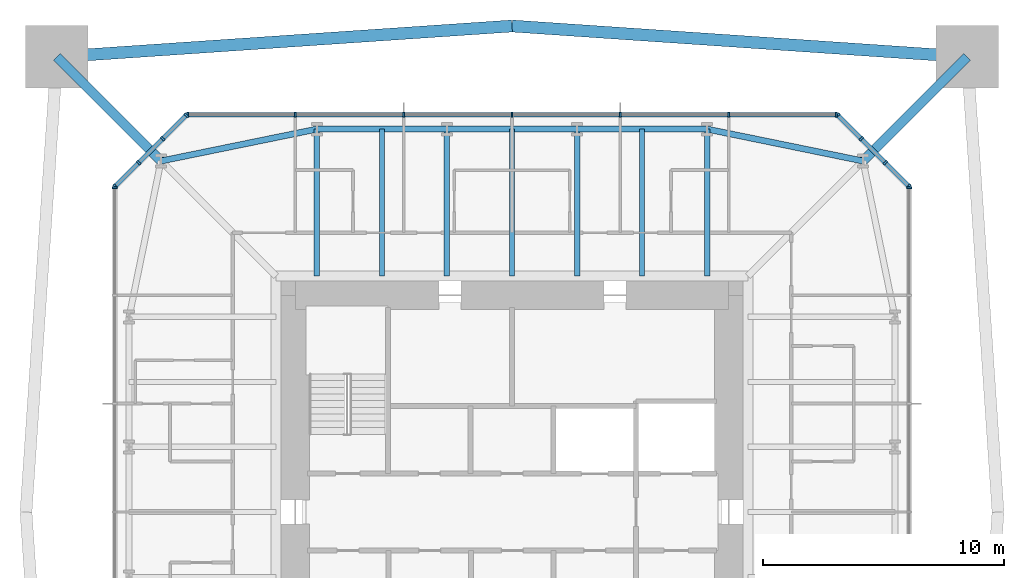
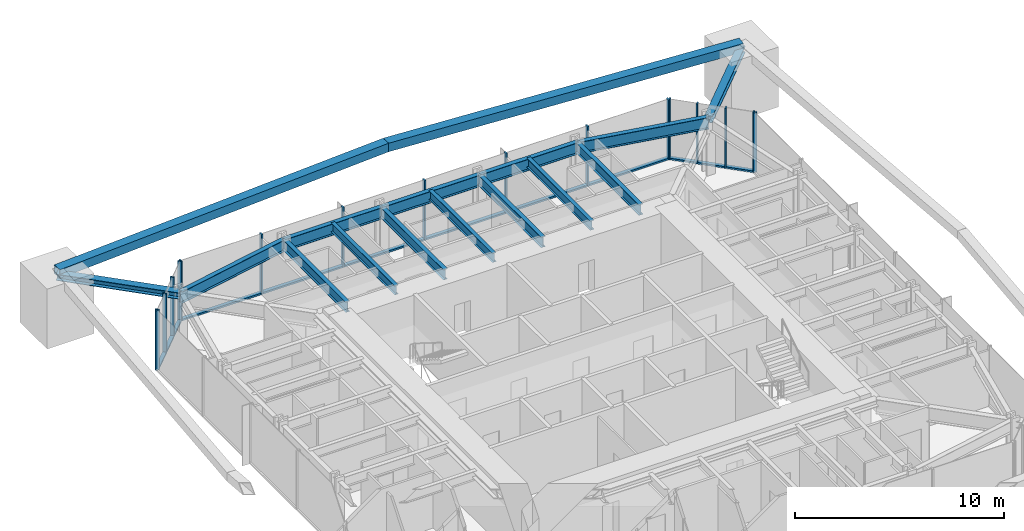
# One storey, part 5 of 11: 33 members, 12 beams, 5 elements without a shape of their own.
"""IFC4 building model written with IfcOpenShell, lengths in metres."""

from ifc_helpers import new_model, si_unit, direction, frame, origin, origin_2d, place, context, subcontext, project, spatial, rectangle, hollow_rectangle, i_section, extrude, material, material_profile, profile_set, type_object, element, aggregate, save


model = new_model("IFC4")

# Units and contexts
model_context = context("Model", 3, precision=1e-05, world=origin(), true_north=direction((0.0, 1.0)))
body_context = subcontext(model_context, "Body", "Model", "MODEL_VIEW")
ifc_project = project(units=[si_unit("LENGTHUNIT", "METRE"), si_unit("AREAUNIT", "SQUARE_METRE"), si_unit("VOLUMEUNIT", "CUBIC_METRE"), si_unit("PLANEANGLEUNIT", "RADIAN"), si_unit("MASSUNIT", "GRAM", prefix="KILO")], contexts=[model_context])

# Site, building, storey
site_placement = place(None, origin())
site = spatial("IfcSite", under=ifc_project, at=site_placement, CompositionType="ELEMENT")
building_placement = place(site_placement, origin())
building = spatial("IfcBuilding", under=site, at=building_placement, Name="Iwan Alto Co-Living Towers", CompositionType="ELEMENT")
storey_placement = place(building_placement, frame((0.0, 0.0, 222.0)))
storey = spatial("IfcBuildingStorey", under=building, at=storey_placement, Name="L60", CompositionType="ELEMENT", Elevation=222.0)

# Curtain wall, member
ifc_material_1 = material(Name="Bronze aluminium unitised frame", Category="aluminium")
curtain_wall_type_1 = type_object("IfcCurtainWallType", Name="CURTAIN WALL CW-A", PredefinedType="NOTDEFINED", material=ifc_material_1)
curtain_wall_1_placement = place(storey_placement, origin())
curtain_wall_1 = element("IfcCurtainWall", 1, at=curtain_wall_1_placement, inside=storey, type_object=curtain_wall_type_1, Name="T1 curtain wall E L60", PredefinedType="NOTDEFINED")
ifc_material_2 = material(Name="Aluminium 6063-T6 bronze anodised", Category="aluminium")
ifc_material_profile_1 = material_profile(ifc_material_2, rectangle(XDim=0.199951171875, YDim=0.080078125, at=origin_2d()), Name="AL 80X200")
ifc_profile_set_1 = profile_set([ifc_material_profile_1], Name="Aluminium 6063-T6 bronze anodised")
member_type_1 = type_object("IfcMemberType", Name="CW-A MULLION 80X200", PredefinedType="MULLION", material=ifc_profile_set_1)
member_1_placement = place(storey_placement, frame((16.5, 13.4599609375, 0.0), z_axis=(0.0, 0.0, 1.0), x_axis=(-1.0, 0.0, 0.0)))
member_1 = element("IfcMember", 2, at=member_1_placement, type_object=member_type_1, Name="CW-A mullion 7", PredefinedType="MULLION", context=body_context, shape_type="SweptSolid", body=[
    extrude(rectangle(XDim=0.199951171875, YDim=0.080078125, at=origin_2d()), origin(), (0.0, 0.0, 1.0), 3.5),
])
aggregate(curtain_wall_1, [member_1])

# Curtain wall, members
curtain_wall_2_placement = place(storey_placement, origin())
curtain_wall_2 = element("IfcCurtainWall", 3, at=curtain_wall_2_placement, inside=storey, type_object=curtain_wall_type_1, Name="T1 curtain wall N L60", PredefinedType="NOTDEFINED")
member_2_placement = place(storey_placement, frame((13.4599609375, 16.5, 0.0), z_axis=(0.0, 0.0, 1.0), x_axis=(0.0, -1.0, 0.0)))
member_2 = element("IfcMember", 4, at=member_2_placement, type_object=member_type_1, Name="CW-A mullion 1", PredefinedType="MULLION", context=body_context, shape_type="SweptSolid", body=[
    extrude(rectangle(XDim=0.199951171875, YDim=0.080078125, at=origin_2d()), origin(), (0.0, 0.0, 1.0), 3.5),
])
member_3_placement = place(storey_placement, frame((9.0, 16.5, 0.0), z_axis=(0.0, 0.0, 1.0), x_axis=(0.0, -1.0, 0.0)))
member_3 = element("IfcMember", 5, at=member_3_placement, type_object=member_type_1, Name="CW-A mullion 2", PredefinedType="MULLION", context=body_context, shape_type="SweptSolid", body=[
    extrude(rectangle(XDim=0.199951171875, YDim=0.080078125, at=origin_2d()), origin(), (0.0, 0.0, 1.0), 3.5),
])
member_4_placement = place(storey_placement, frame((4.5, 16.5, 0.0), z_axis=(0.0, 0.0, 1.0), x_axis=(0.0, -1.0, 0.0)))
member_4 = element("IfcMember", 6, at=member_4_placement, type_object=member_type_1, Name="CW-A mullion 3", PredefinedType="MULLION", context=body_context, shape_type="SweptSolid", body=[
    extrude(rectangle(XDim=0.199951171875, YDim=0.080078125, at=origin_2d()), origin(), (0.0, 0.0, 1.0), 3.5),
])
member_5_placement = place(storey_placement, frame((0.0, 16.5, 0.0), z_axis=(0.0, 0.0, 1.0), x_axis=(0.0, -1.0, 0.0)))
member_5 = element("IfcMember", 7, at=member_5_placement, type_object=member_type_1, Name="CW-A mullion 4", PredefinedType="MULLION", context=body_context, shape_type="SweptSolid", body=[
    extrude(rectangle(XDim=0.199951171875, YDim=0.080078125, at=origin_2d()), origin(), (0.0, 0.0, 1.0), 3.5),
])
member_6_placement = place(storey_placement, frame((-4.5, 16.5, 0.0), z_axis=(0.0, 0.0, 1.0), x_axis=(0.0, -1.0, 0.0)))
member_6 = element("IfcMember", 8, at=member_6_placement, type_object=member_type_1, Name="CW-A mullion 5", PredefinedType="MULLION", context=body_context, shape_type="SweptSolid", body=[
    extrude(rectangle(XDim=0.199951171875, YDim=0.080078125, at=origin_2d()), origin(), (0.0, 0.0, 1.0), 3.5),
])
member_7_placement = place(storey_placement, frame((-9.0, 16.5, 0.0), z_axis=(0.0, 0.0, 1.0), x_axis=(0.0, -1.0, 0.0)))
member_7 = element("IfcMember", 9, at=member_7_placement, type_object=member_type_1, Name="CW-A mullion 6", PredefinedType="MULLION", context=body_context, shape_type="SweptSolid", body=[
    extrude(rectangle(XDim=0.199951171875, YDim=0.080078125, at=origin_2d()), origin(), (0.0, 0.0, 1.0), 3.5),
])
member_8_placement = place(storey_placement, frame((-13.4599609375, 16.5, 0.0), z_axis=(0.0, 0.0, 1.0), x_axis=(0.0, -1.0, 0.0)))
member_8 = element("IfcMember", 10, at=member_8_placement, type_object=member_type_1, Name="CW-A mullion 7", PredefinedType="MULLION", context=body_context, shape_type="SweptSolid", body=[
    extrude(rectangle(XDim=0.199951171875, YDim=0.080078125, at=origin_2d()), origin(), (0.0, 0.0, 1.0), 3.5),
])

# Curtain wall, member
curtain_wall_3_placement = place(storey_placement, origin())
curtain_wall_3 = element("IfcCurtainWall", 11, at=curtain_wall_3_placement, inside=storey, type_object=curtain_wall_type_1, Name="T1 curtain wall W L60", PredefinedType="NOTDEFINED")
member_9_placement = place(storey_placement, frame((-16.5, 13.4599609375, 0.0), z_axis=(0.0, 0.0, 1.0), x_axis=(1.0, 0.0, 0.0)))
member_9 = element("IfcMember", 12, at=member_9_placement, type_object=member_type_1, Name="CW-A mullion 1", PredefinedType="MULLION", context=body_context, shape_type="SweptSolid", body=[
    extrude(rectangle(XDim=0.199951171875, YDim=0.080078125, at=origin_2d()), origin(), (0.0, 0.0, 1.0), 3.5),
])
aggregate(curtain_wall_3, [member_9])

# Member
ifc_material_3 = material(Name="Aluminium 6063-T6 bronze anodised", Category="aluminium")
ifc_material_profile_2 = material_profile(ifc_material_3, rectangle(XDim=0.199951171875, YDim=0.10009765625, at=origin_2d()), Name="AL 200X100")
ifc_profile_set_2 = profile_set([ifc_material_profile_2], Name="Aluminium 6063-T6 bronze anodised")
member_type_2 = type_object("IfcMemberType", Name="CW-A TRANSOM 200X100", PredefinedType="USERDEFINED", material=ifc_profile_set_2)
member_10_placement = place(storey_placement, frame((13.419921875, 16.5, 0.050048828125), z_axis=(-1.0, 0.0, 0.0), x_axis=(0.0, -1.0, 0.0)))
member_10 = element("IfcMember", 13, at=member_10_placement, type_object=member_type_2, Name="CW-A transom 1.1", ObjectType="TRANSOM", PredefinedType="USERDEFINED", context=body_context, shape_type="SweptSolid", body=[
    extrude(rectangle(XDim=0.199951171875, YDim=0.10009765625, at=origin_2d()), origin(), (0.0, 0.0, 1.0), 4.3798828125),
])

member_11_placement = place(storey_placement, frame((8.9599609375, 16.5, 0.050048828125), z_axis=(-1.0, 0.0, 0.0), x_axis=(0.0, -1.0, 0.0)))
member_11 = element("IfcMember", 14, at=member_11_placement, type_object=member_type_2, Name="CW-A transom 2.1", ObjectType="TRANSOM", PredefinedType="USERDEFINED", context=body_context, shape_type="SweptSolid", body=[
    extrude(rectangle(XDim=0.199951171875, YDim=0.10009765625, at=origin_2d()), origin(), (0.0, 0.0, 1.0), 4.419921875),
])

member_12_placement = place(storey_placement, frame((4.4599609375, 16.5, 0.050048828125), z_axis=(-1.0, 0.0, 0.0), x_axis=(0.0, -1.0, 0.0)))
member_12 = element("IfcMember", 15, at=member_12_placement, type_object=member_type_2, Name="CW-A transom 3.1", ObjectType="TRANSOM", PredefinedType="USERDEFINED", context=body_context, shape_type="SweptSolid", body=[
    extrude(rectangle(XDim=0.199951171875, YDim=0.10009765625, at=origin_2d()), origin(), (0.0, 0.0, 1.0), 4.419921875),
])

member_13_placement = place(storey_placement, frame((-0.0400390625, 16.5, 0.050048828125), z_axis=(-1.0, 0.0, 0.0), x_axis=(0.0, -1.0, 0.0)))
member_13 = element("IfcMember", 16, at=member_13_placement, type_object=member_type_2, Name="CW-A transom 4.1", ObjectType="TRANSOM", PredefinedType="USERDEFINED", context=body_context, shape_type="SweptSolid", body=[
    extrude(rectangle(XDim=0.199951171875, YDim=0.10009765625, at=origin_2d()), origin(), (0.0, 0.0, 1.0), 4.419921875),
])

member_14_placement = place(storey_placement, frame((-4.5400390625, 16.5, 0.050048828125), z_axis=(-1.0, 0.0, 0.0), x_axis=(0.0, -1.0, 0.0)))
member_14 = element("IfcMember", 17, at=member_14_placement, type_object=member_type_2, Name="CW-A transom 5.1", ObjectType="TRANSOM", PredefinedType="USERDEFINED", context=body_context, shape_type="SweptSolid", body=[
    extrude(rectangle(XDim=0.199951171875, YDim=0.10009765625, at=origin_2d()), origin(), (0.0, 0.0, 1.0), 4.419921875),
])

member_15_placement = place(storey_placement, frame((-9.0400390625, 16.5, 0.050048828125), z_axis=(-1.0, 0.0, 0.0), x_axis=(0.0, -1.0, 0.0)))
member_15 = element("IfcMember", 18, at=member_15_placement, type_object=member_type_2, Name="CW-A transom 6.1", ObjectType="TRANSOM", PredefinedType="USERDEFINED", context=body_context, shape_type="SweptSolid", body=[
    extrude(rectangle(XDim=0.199951171875, YDim=0.10009765625, at=origin_2d()), origin(), (0.0, 0.0, 1.0), 4.3798828125),
])

aggregate(curtain_wall_2, [member_2, member_3, member_4, member_5, member_6, member_7, member_8, member_10, member_11, member_12, member_13, member_14, member_15])

# Curtain wall, members
ifc_material_4 = material(Name="Bronze aluminium unitised frame", Category="aluminium")
curtain_wall_type_2 = type_object("IfcCurtainWallType", Name="CURTAIN WALL CW-B", PredefinedType="NOTDEFINED", material=ifc_material_4)
curtain_wall_4_placement = place(storey_placement, origin())
curtain_wall_4 = element("IfcCurtainWall", 19, at=curtain_wall_4_placement, inside=storey, type_object=curtain_wall_type_2, Name="T1 chamfer curtain wall NE L60", PredefinedType="NOTDEFINED")
ifc_material_5 = material(Name="Aluminium 6063-T6 bronze anodised", Category="aluminium")
ifc_material_profile_3 = material_profile(ifc_material_5, rectangle(XDim=0.199951171875, YDim=0.080078125, at=origin_2d()), Name="AL 80X200")
ifc_profile_set_3 = profile_set([ifc_material_profile_3], Name="Aluminium 6063-T6 bronze anodised")
member_type_3 = type_object("IfcMemberType", Name="CW-B MULLION 80X200", PredefinedType="MULLION", material=ifc_profile_set_3)
member_16_placement = place(storey_placement, frame((16.4716796875, 13.5283203125, 0.0), z_axis=(0.0, 0.0, 1.0), x_axis=(-0.707106781187, -0.707106781187, 0.0)))
member_16 = element("IfcMember", 20, at=member_16_placement, type_object=member_type_3, Name="CW-B mullion 1", PredefinedType="MULLION", context=body_context, shape_type="SweptSolid", body=[
    extrude(rectangle(XDim=0.199951171875, YDim=0.080078125, at=origin_2d()), origin(), (0.0, 0.0, 1.0), 3.5),
])
member_17_placement = place(storey_placement, frame((15.5, 14.5, 0.0), z_axis=(0.0, 0.0, 1.0), x_axis=(-0.707106781187, -0.707106781187, 0.0)))
member_17 = element("IfcMember", 21, at=member_17_placement, type_object=member_type_3, Name="CW-B mullion 2", PredefinedType="MULLION", context=body_context, shape_type="SweptSolid", body=[
    extrude(rectangle(XDim=0.199951171875, YDim=0.080078125, at=origin_2d()), origin(), (0.0, 0.0, 1.0), 3.5),
])
member_18_placement = place(storey_placement, frame((14.5, 15.5, 0.0), z_axis=(0.0, 0.0, 1.0), x_axis=(-0.707106781187, -0.707106781187, 0.0)))
member_18 = element("IfcMember", 22, at=member_18_placement, type_object=member_type_3, Name="CW-B mullion 3", PredefinedType="MULLION", context=body_context, shape_type="SweptSolid", body=[
    extrude(rectangle(XDim=0.199951171875, YDim=0.080078125, at=origin_2d()), origin(), (0.0, 0.0, 1.0), 3.5),
])
member_19_placement = place(storey_placement, frame((13.5283203125, 16.4716796875, 0.0), z_axis=(0.0, 0.0, 1.0), x_axis=(-0.707106781187, -0.707106781187, 0.0)))
member_19 = element("IfcMember", 23, at=member_19_placement, type_object=member_type_3, Name="CW-B mullion 4", PredefinedType="MULLION", context=body_context, shape_type="SweptSolid", body=[
    extrude(rectangle(XDim=0.199951171875, YDim=0.080078125, at=origin_2d()), origin(), (0.0, 0.0, 1.0), 3.5),
])

curtain_wall_5_placement = place(storey_placement, origin())
curtain_wall_5 = element("IfcCurtainWall", 24, at=curtain_wall_5_placement, inside=storey, type_object=curtain_wall_type_2, Name="T1 chamfer curtain wall NW L60", PredefinedType="NOTDEFINED")
member_20_placement = place(storey_placement, frame((-13.5283203125, 16.4716796875, 0.0), z_axis=(0.0, 0.0, 1.0), x_axis=(0.707106781187, -0.707106781187, 0.0)))
member_20 = element("IfcMember", 25, at=member_20_placement, type_object=member_type_3, Name="CW-B mullion 1", PredefinedType="MULLION", context=body_context, shape_type="SweptSolid", body=[
    extrude(rectangle(XDim=0.199951171875, YDim=0.080078125, at=origin_2d()), origin(), (0.0, 0.0, 1.0), 3.5),
])
member_21_placement = place(storey_placement, frame((-14.5, 15.5, 0.0), z_axis=(0.0, 0.0, 1.0), x_axis=(0.707106781187, -0.707106781187, 0.0)))
member_21 = element("IfcMember", 26, at=member_21_placement, type_object=member_type_3, Name="CW-B mullion 2", PredefinedType="MULLION", context=body_context, shape_type="SweptSolid", body=[
    extrude(rectangle(XDim=0.199951171875, YDim=0.080078125, at=origin_2d()), origin(), (0.0, 0.0, 1.0), 3.5),
])
member_22_placement = place(storey_placement, frame((-15.5, 14.5, 0.0), z_axis=(0.0, 0.0, 1.0), x_axis=(0.707106781187, -0.707106781187, 0.0)))
member_22 = element("IfcMember", 27, at=member_22_placement, type_object=member_type_3, Name="CW-B mullion 3", PredefinedType="MULLION", context=body_context, shape_type="SweptSolid", body=[
    extrude(rectangle(XDim=0.199951171875, YDim=0.080078125, at=origin_2d()), origin(), (0.0, 0.0, 1.0), 3.5),
])
member_23_placement = place(storey_placement, frame((-16.4716796875, 13.5283203125, 0.0), z_axis=(0.0, 0.0, 1.0), x_axis=(0.707106781187, -0.707106781187, 0.0)))
member_23 = element("IfcMember", 28, at=member_23_placement, type_object=member_type_3, Name="CW-B mullion 4", PredefinedType="MULLION", context=body_context, shape_type="SweptSolid", body=[
    extrude(rectangle(XDim=0.199951171875, YDim=0.080078125, at=origin_2d()), origin(), (0.0, 0.0, 1.0), 3.5),
])

# Member
ifc_material_6 = material(Name="Aluminium 6063-T6 bronze anodised", Category="aluminium")
ifc_material_profile_4 = material_profile(ifc_material_6, rectangle(XDim=0.199951171875, YDim=0.10009765625, at=origin_2d()), Name="AL 200X100")
ifc_profile_set_4 = profile_set([ifc_material_profile_4], Name="Aluminium 6063-T6 bronze anodised")
member_type_4 = type_object("IfcMemberType", Name="CW-B TRANSOM 200X100", PredefinedType="USERDEFINED", material=ifc_profile_set_4)
member_24_placement = place(storey_placement, frame((16.443359375, 13.556640625, 0.050048828125), z_axis=(-0.707106781187, 0.707106781187, 0.0), x_axis=(-0.707106781187, -0.707106781187, 0.0)))
member_24 = element("IfcMember", 29, at=member_24_placement, type_object=member_type_4, Name="CW-B transom 1.1", ObjectType="TRANSOM", PredefinedType="USERDEFINED", context=body_context, shape_type="SweptSolid", body=[
    extrude(rectangle(XDim=0.199951171875, YDim=0.10009765625, at=origin_2d()), origin(), (0.0, 0.0, 1.0), 1.2939453125),
])

member_25_placement = place(storey_placement, frame((15.4716796875, 14.5283203125, 0.050048828125), z_axis=(-0.707106781187, 0.707106781187, 0.0), x_axis=(-0.707106781187, -0.707106781187, 0.0)))
member_25 = element("IfcMember", 30, at=member_25_placement, type_object=member_type_4, Name="CW-B transom 2.1", ObjectType="TRANSOM", PredefinedType="USERDEFINED", context=body_context, shape_type="SweptSolid", body=[
    extrude(rectangle(XDim=0.199951171875, YDim=0.10009765625, at=origin_2d()), origin(), (0.0, 0.0, 1.0), 1.334228515625),
])

member_26_placement = place(storey_placement, frame((14.4716796875, 15.5283203125, 0.050048828125), z_axis=(-0.707106781187, 0.707106781187, 0.0), x_axis=(-0.707106781187, -0.707106781187, 0.0)))
member_26 = element("IfcMember", 31, at=member_26_placement, type_object=member_type_4, Name="CW-B transom 3.1", ObjectType="TRANSOM", PredefinedType="USERDEFINED", context=body_context, shape_type="SweptSolid", body=[
    extrude(rectangle(XDim=0.199951171875, YDim=0.10009765625, at=origin_2d()), origin(), (0.0, 0.0, 1.0), 1.2939453125),
])

aggregate(curtain_wall_4, [member_16, member_17, member_18, member_19, member_24, member_25, member_26])

member_27_placement = place(storey_placement, frame((-13.556640625, 16.443359375, 0.050048828125), z_axis=(-0.707106781187, -0.707106781187, 0.0), x_axis=(0.707106781187, -0.707106781187, 0.0)))
member_27 = element("IfcMember", 32, at=member_27_placement, type_object=member_type_4, Name="CW-B transom 1.1", ObjectType="TRANSOM", PredefinedType="USERDEFINED", context=body_context, shape_type="SweptSolid", body=[
    extrude(rectangle(XDim=0.199951171875, YDim=0.10009765625, at=origin_2d()), origin(), (0.0, 0.0, 1.0), 1.2939453125),
])

member_28_placement = place(storey_placement, frame((-14.5283203125, 15.4716796875, 0.050048828125), z_axis=(-0.707106781187, -0.707106781187, 0.0), x_axis=(0.707106781187, -0.707106781187, 0.0)))
member_28 = element("IfcMember", 33, at=member_28_placement, type_object=member_type_4, Name="CW-B transom 2.1", ObjectType="TRANSOM", PredefinedType="USERDEFINED", context=body_context, shape_type="SweptSolid", body=[
    extrude(rectangle(XDim=0.199951171875, YDim=0.10009765625, at=origin_2d()), origin(), (0.0, 0.0, 1.0), 1.334228515625),
])

member_29_placement = place(storey_placement, frame((-15.5283203125, 14.4716796875, 0.050048828125), z_axis=(-0.707106781187, -0.707106781187, 0.0), x_axis=(0.707106781187, -0.707106781187, 0.0)))
member_29 = element("IfcMember", 34, at=member_29_placement, type_object=member_type_4, Name="CW-B transom 3.1", ObjectType="TRANSOM", PredefinedType="USERDEFINED", context=body_context, shape_type="SweptSolid", body=[
    extrude(rectangle(XDim=0.199951171875, YDim=0.10009765625, at=origin_2d()), origin(), (0.0, 0.0, 1.0), 1.2939453125),
])

aggregate(curtain_wall_5, [member_20, member_21, member_22, member_23, member_27, member_28, member_29])

# Beams
ifc_material_7 = material(Name="Steel ASTM A992 Gr 50", Category="steel")
ifc_material_profile_5 = material_profile(ifc_material_7, i_section(OverallWidth=0.25390625, OverallDepth=0.683349609375, WebThickness=0.012451171875, FlangeThickness=0.018798828125, at=origin_2d()), Name="W27X94")
ifc_profile_set_5 = profile_set([ifc_material_profile_5], Name="Steel ASTM A992 Gr 50")
beam_type_1 = type_object("IfcBeamType", Name="T1 EDGE BEAM W27X94", PredefinedType="BEAM", material=ifc_profile_set_5)
beam_1_placement = place(storey_placement, frame((14.57568359375, 14.57568359375, 2.928466796875), z_axis=(-0.979724820103, 0.200347889618, 0.0), x_axis=(-0.200347889618, -0.979724820103, 0.0)))
element("IfcBeam", 35, at=beam_1_placement, inside=storey, type_object=beam_type_1, Name="T1 edge beam CNE L61", PredefinedType="BEAM", context=body_context, shape_type="SweptSolid", body=[
    extrude(i_section(OverallWidth=0.25390625, OverallDepth=0.683349609375, WebThickness=0.012451171875, FlangeThickness=0.018798828125, at=origin_2d()), origin(), (0.0, 0.0, 1.0), 6.609619140625),
])
beam_2_placement = place(storey_placement, frame((8.10009765625, 15.89990234375, 2.928466796875), z_axis=(-1.0, 0.0, 0.0), x_axis=(0.0, -1.0, 0.0)))
element("IfcBeam", 36, at=beam_2_placement, inside=storey, type_object=beam_type_1, Name="T1 edge beam N1 L61", PredefinedType="BEAM", context=body_context, shape_type="SweptSolid", body=[
    extrude(i_section(OverallWidth=0.25390625, OverallDepth=0.683349609375, WebThickness=0.012451171875, FlangeThickness=0.018798828125, at=origin_2d()), origin(), (0.0, 0.0, 1.0), 5.400146484375),
])
beam_3_placement = place(storey_placement, frame((2.699951171875, 15.89990234375, 2.928466796875), z_axis=(-1.0, 0.0, 0.0), x_axis=(0.0, -1.0, 0.0)))
element("IfcBeam", 37, at=beam_3_placement, inside=storey, type_object=beam_type_1, Name="T1 edge beam N2 L61", PredefinedType="BEAM", context=body_context, shape_type="SweptSolid", body=[
    extrude(i_section(OverallWidth=0.25390625, OverallDepth=0.683349609375, WebThickness=0.012451171875, FlangeThickness=0.018798828125, at=origin_2d()), origin(), (0.0, 0.0, 1.0), 5.39990234375),
])
beam_4_placement = place(storey_placement, frame((-2.699951171875, 15.89990234375, 2.928466796875), z_axis=(-1.0, 0.0, 0.0), x_axis=(0.0, -1.0, 0.0)))
element("IfcBeam", 38, at=beam_4_placement, inside=storey, type_object=beam_type_1, Name="T1 edge beam N3 L61", PredefinedType="BEAM", context=body_context, shape_type="SweptSolid", body=[
    extrude(i_section(OverallWidth=0.25390625, OverallDepth=0.683349609375, WebThickness=0.012451171875, FlangeThickness=0.018798828125, at=origin_2d()), origin(), (0.0, 0.0, 1.0), 5.400146484375),
])
beam_5_placement = place(storey_placement, frame((-8.10009765625, 15.89990234375, 2.928466796875), z_axis=(-0.979724820103, -0.200347889618, 0.0), x_axis=(0.200347889618, -0.979724820103, 0.0)))
element("IfcBeam", 39, at=beam_5_placement, inside=storey, type_object=beam_type_1, Name="T1 edge beam N4 L61", PredefinedType="BEAM", context=body_context, shape_type="SweptSolid", body=[
    extrude(i_section(OverallWidth=0.25390625, OverallDepth=0.683349609375, WebThickness=0.012451171875, FlangeThickness=0.018798828125, at=origin_2d()), origin(), (0.0, 0.0, 1.0), 6.609619140625),
])

# Members
ifc_material_8 = material(Name="Steel ASTM A992 Gr 50", Category="steel")
ifc_material_profile_6 = material_profile(ifc_material_8, i_section(OverallWidth=0.393798828125, OverallDepth=0.3759765625, WebThickness=0.017333984375, FlangeThickness=0.027587890625, at=origin_2d()), Name="W14X145")
ifc_profile_set_6 = profile_set([ifc_material_profile_6], Name="Steel ASTM A992 Gr 50")
member_type_5 = type_object("IfcMemberType", Name="T1 MEGA COLUMN FLOOR TIE W14X145", PredefinedType="STRUT", material=ifc_profile_set_6)
for number, where, z_axis, x_axis, name in (
    (40, (18.89990234375, 18.89990234375, 3.08203125), (-0.707106781187, -0.707106781187, 0.0), (0.707106781187, -0.707106781187, 0.0), "T1 mega column floor tie NE L61"),
    (41, (-18.89990234375, 18.89990234375, 3.08203125), (0.707106781187, -0.707106781187, 0.0), (0.707106781187, 0.707106781187, 0.0), "T1 mega column floor tie NW L61"),
):
    element("IfcMember", number, at=place(storey_placement, frame(where, z_axis=z_axis, x_axis=x_axis)), inside=storey, type_object=member_type_5, Name=name, PredefinedType="STRUT", context=body_context, shape_type="SweptSolid", body=[
        extrude(i_section(OverallWidth=0.393798828125, OverallDepth=0.3759765625, WebThickness=0.017333984375, FlangeThickness=0.027587890625, at=origin_2d()), origin(), (0.0, 0.0, 1.0), 6.115478515625),
    ])
ifc_material_9 = material(Name="Steel ASTM A572 Gr 50", Category="steel")
ifc_material_profile_7 = material_profile(ifc_material_9, hollow_rectangle(XDim=0.5, YDim=0.5, WallThickness=0.031982421875, at=origin_2d()), Name="BOX 500X500X32")
ifc_profile_set_7 = profile_set([ifc_material_profile_7], Name="Steel ASTM A572 Gr 50")
member_type_6 = type_object("IfcMemberType", Name="T1 MEGA TIE BOX 500X500X32", PredefinedType="STRUT", material=ifc_profile_set_7)
for number, where, z_axis, x_axis, name in (
    (42, (18.89990234375, 18.89990234375, 3.2841796875), (-0.997708316186, 0.067661775131, 0.0), (-0.067661775131, -0.997708316186, 0.0), "T1 mega tie Z4A N 1"),
    (43, (0.0, 20.181640625, 3.2841796875), (-0.997708316186, -0.067661775131, 0.0), (0.067661775131, -0.997708316186, 0.0), "T1 mega tie Z4A N 2"),
):
    element("IfcMember", number, at=place(storey_placement, frame(where, z_axis=z_axis, x_axis=x_axis)), inside=storey, type_object=member_type_6, Name=name, PredefinedType="STRUT", context=body_context, shape_type="SweptSolid", body=[
        extrude(hollow_rectangle(XDim=0.5, YDim=0.5, WallThickness=0.031982421875, at=origin_2d()), origin(), (0.0, 0.0, 1.0), 18.943359375),
    ])

# Beams
ifc_material_10 = material(Name="Steel ASTM A992 Gr 50", Category="steel")
ifc_material_profile_8 = material_profile(ifc_material_10, i_section(OverallWidth=0.228271484375, OverallDepth=0.607177734375, WebThickness=0.01123046875, FlangeThickness=0.017333984375, at=origin_2d()), Name="W24X76")
ifc_profile_set_8 = profile_set([ifc_material_profile_8], Name="Steel ASTM A992 Gr 50")
beam_type_2 = type_object("IfcBeamType", Name="T1 RADIAL BEAM W24X76", PredefinedType="BEAM", material=ifc_profile_set_8)
for number, where, z_axis, x_axis, name in (
    (44, (8.10009765625, 15.89990234375, 2.966552734375), (0.0, -1.0, 0.0), (1.0, 0.0, 0.0), "T1 radial beam N1 L61"),
    (45, (2.699951171875, 15.89990234375, 2.966552734375), (0.0, -1.0, 0.0), (1.0, 0.0, 0.0), "T1 radial beam N2 L61"),
    (46, (-2.699951171875, 15.89990234375, 2.966552734375), (0.0, -1.0, 0.0), (1.0, 0.0, 0.0), "T1 radial beam N3 L61"),
    (47, (-8.10009765625, 15.89990234375, 2.966552734375), (0.0, -1.0, 0.0), (1.0, 0.0, 0.0), "T1 radial beam N4 L61"),
):
    element("IfcBeam", number, at=place(storey_placement, frame(where, z_axis=z_axis, x_axis=x_axis)), inside=storey, type_object=beam_type_2, Name=name, PredefinedType="BEAM", context=body_context, shape_type="SweptSolid", body=[
        extrude(i_section(OverallWidth=0.228271484375, OverallDepth=0.607177734375, WebThickness=0.01123046875, FlangeThickness=0.017333984375, at=origin_2d()), origin(), (0.0, 0.0, 1.0), 6.1005859375),
    ])
ifc_material_11 = material(Name="Steel ASTM A992 Gr 50", Category="steel")
ifc_material_profile_9 = material_profile(ifc_material_11, i_section(OverallWidth=0.209228515625, OverallDepth=0.533447265625, WebThickness=0.01025390625, FlangeThickness=0.015625, at=origin_2d()), Name="W21X62")
ifc_profile_set_9 = profile_set([ifc_material_profile_9], Name="Steel ASTM A992 Gr 50")
beam_type_3 = type_object("IfcBeamType", Name="T1 SECONDARY BEAM W21X62", PredefinedType="JOIST", material=ifc_profile_set_9)
for number, where, z_axis, x_axis, name in (
    (48, (5.39990234375, 15.89990234375, 3.00341796875), (0.0, -1.0, 0.0), (1.0, 0.0, 0.0), "T1 secondary beam N1 L61"),
    (49, (0.0, 15.89990234375, 3.00341796875), (0.0, -1.0, 0.0), (1.0, 0.0, 0.0), "T1 secondary beam N2 L61"),
    (50, (-5.39990234375, 15.89990234375, 3.00341796875), (0.0, -1.0, 0.0), (1.0, 0.0, 0.0), "T1 secondary beam N3 L61"),
):
    element("IfcBeam", number, at=place(storey_placement, frame(where, z_axis=z_axis, x_axis=x_axis)), inside=storey, type_object=beam_type_3, Name=name, PredefinedType="JOIST", context=body_context, shape_type="SweptSolid", body=[
        extrude(i_section(OverallWidth=0.209228515625, OverallDepth=0.533447265625, WebThickness=0.01025390625, FlangeThickness=0.015625, at=origin_2d()), origin(), (0.0, 0.0, 1.0), 6.1005859375),
    ])

save(model, "model.ifc")
